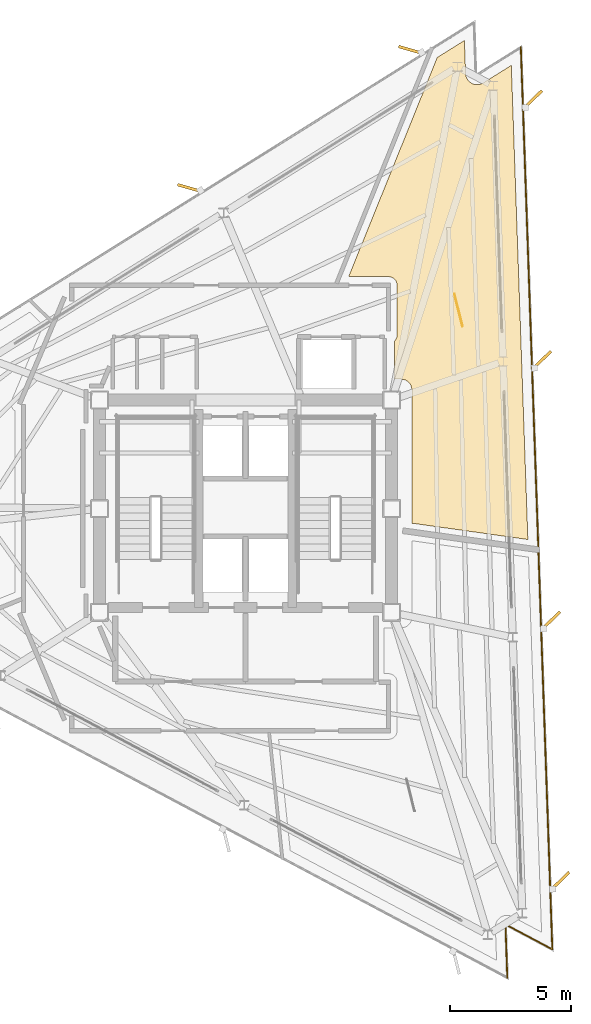
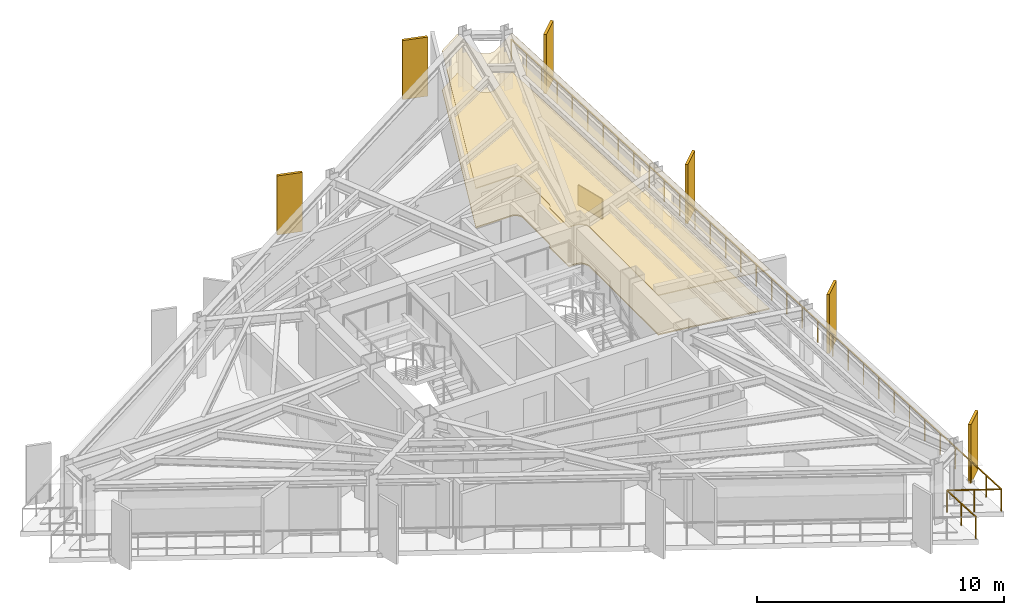
# One storey, part 13 of 13: 6 shading devices, 3 coverings, 1 railing.
"""IFC4 building model written with IfcOpenShell, lengths in metres."""

import ifcopenshell
import ifcopenshell.guid

model = None  # the IFC model being written
_history = None  # IfcOwnerHistory: only IFC2X3 demands one
_inside = {}  # id of a spatial element -> (the spatial element, [elements in it])
_under = {}  # id of a project, library or spatial element -> (it, [spatial elements below it])
_declared = {}  # id of a project -> (the project, [libraries it declares])
_typed = {}  # id of a type object -> (the type object, [elements of that type])
_made_of = {}  # id of a material, layer set ... -> (it, [elements and type objects made of it])


def new_model(schema):
    """Start an empty IFC model of exactly this schema.

    Asked for "IFC4X3", IfcOpenShell would pick the latest addendum, in which some entities
    have other attributes; the version numbers below select the first issue.
    IFC2X3 requires an IfcOwnerHistory on every rooted entity: one is made here for all.
    """
    global model, _history
    if schema == "IFC4X3":
        model = ifcopenshell.file(schema_version=(4, 3, 0, 0))
    else:
        model = ifcopenshell.file(schema=schema)
    _inside.clear()
    _under.clear()
    _declared.clear()
    _typed.clear()
    _made_of.clear()
    _history = None
    if model.schema == "IFC2X3":
        org = make("IfcOrganization", Name="unknown")
        user = make(
            "IfcPersonAndOrganization",
            ThePerson=make("IfcPerson", FamilyName="unknown"),
            TheOrganization=org,
        )
        app = make(
            "IfcApplication",
            ApplicationDeveloper=org,
            Version="unknown",
            ApplicationFullName="unknown",
            ApplicationIdentifier="unknown",
        )
        _history = make(
            "IfcOwnerHistory",
            OwningUser=user,
            OwningApplication=app,
            ChangeAction="ADDED",
            CreationDate=0,
        )
    return model


def make(cls, **values):
    """One entity of the class cls with the attributes given. An attribute that is None is left unset."""
    return model.create_entity(
        cls, **{name: value for name, value in values.items() if value is not None}
    )


def rooted(cls, **values):
    """An entity with a GlobalId (a new one), such as an element, a storey or a relation."""
    return make(cls, GlobalId=ifcopenshell.guid.new(), OwnerHistory=_history, **values)


def si_unit(unit_type, name, prefix=None):
    """IfcSIUnit, for example si_unit("LENGTHUNIT", "METRE", prefix="MILLI")."""
    return make("IfcSIUnit", UnitType=unit_type, Prefix=prefix, Name=name)


def assignment(units):
    """IfcUnitAssignment: the units of a project."""
    return None if units is None else make("IfcUnitAssignment", Units=units)


def point(xyz):
    """IfcCartesianPoint."""
    return None if xyz is None else make("IfcCartesianPoint", Coordinates=xyz)


def direction(xyz):
    """IfcDirection."""
    return None if xyz is None else make("IfcDirection", DirectionRatios=xyz)


def frame(location, z_axis=None, x_axis=None):
    """IfcAxis2Placement3D, a coordinate frame: its origin and axes. An axis left out is left unset."""
    return make(
        "IfcAxis2Placement3D",
        Location=point(location),
        Axis=direction(z_axis),
        RefDirection=direction(x_axis),
    )


def frame_2d(location, x_axis=None):
    """IfcAxis2Placement2D, a coordinate frame in the plane: its origin and x axis."""
    return make(
        "IfcAxis2Placement2D", Location=point(location), RefDirection=direction(x_axis)
    )


def origin():
    """The frame at (0, 0, 0) with its axes left unset."""
    return frame((0.0, 0.0, 0.0))


def origin_2d():
    """The frame at (0, 0) in the plane with its x axis left unset."""
    return frame_2d((0.0, 0.0))


def place(relative_to, where):
    """IfcLocalPlacement: puts the frame where relative to a parent placement (None: the world)."""
    return make(
        "IfcLocalPlacement", PlacementRelTo=relative_to, RelativePlacement=where
    )


def context(
    kind, dimensions, precision=None, world=None, true_north=None, identifier=None
):
    """IfcGeometricRepresentationContext, for example the 3D "Model" context."""
    return make(
        "IfcGeometricRepresentationContext",
        ContextIdentifier=identifier,
        ContextType=kind,
        CoordinateSpaceDimension=dimensions,
        Precision=precision,
        WorldCoordinateSystem=world,
        TrueNorth=true_north,
    )


def subcontext(parent, identifier, kind, view, scale=None):
    """IfcGeometricRepresentationSubContext, for example "Body" below "Model"."""
    return make(
        "IfcGeometricRepresentationSubContext",
        ContextIdentifier=identifier,
        ContextType=kind,
        ParentContext=parent,
        TargetScale=scale,
        TargetView=view,
    )


def project(units=None, contexts=None):
    """IfcProject with its units and contexts."""
    return rooted(
        "IfcProject",
        Name="project",
        RepresentationContexts=contexts,
        UnitsInContext=assignment(units),
    )


def spatial(cls, under=None, at=None, **own):
    """A site, building, storey or space (cls), placed at a placement, below another one or the project."""
    s = rooted(cls, ObjectPlacement=at, **own)
    if under is not None:
        _under.setdefault(under.id(), (under, []))[1].append(s)
    return s


def polyline(points):
    """IfcPolyline through the points."""
    return make("IfcPolyline", Points=[point(p) for p in points])


def profile(cls, at=None, kind="AREA", **sizes):
    """A parametric profile (cls). Its sizes go by their IFC names, for example OverallWidth=200.0."""
    return make(cls, ProfileType=kind, Position=at, **sizes)


def rectangle(**sizes):
    """IfcRectangleProfileDef."""
    return profile("IfcRectangleProfileDef", **sizes)


def outline(outer, holes=None, kind="AREA"):
    """IfcArbitraryClosedProfileDef: a profile drawn as a closed curve; with holes, ...WithVoids."""
    if holes is None:
        return make("IfcArbitraryClosedProfileDef", ProfileType=kind, OuterCurve=outer)
    return make(
        "IfcArbitraryProfileDefWithVoids",
        ProfileType=kind,
        OuterCurve=outer,
        InnerCurves=holes,
    )


def extrude(swept, where, along, depth):
    """IfcExtrudedAreaSolid: the profile swept, set in the frame where, extruded along a direction by depth."""
    return make(
        "IfcExtrudedAreaSolid",
        SweptArea=swept,
        Position=where,
        ExtrudedDirection=direction(along),
        Depth=depth,
    )


def shape(context_of_items, identifier, shape_type, items):
    """IfcShapeRepresentation: the items that make up one representation, for example the "Body"."""
    return make(
        "IfcShapeRepresentation",
        ContextOfItems=context_of_items,
        RepresentationIdentifier=identifier,
        RepresentationType=shape_type,
        Items=items,
    )


def material(Name=None, Category=None):
    """IfcMaterial."""
    return make("IfcMaterial", Name=Name, Category=Category)


def layer(
    of_material, thickness, ventilated=None, Name=None, Category=None, Priority=None
):
    """IfcMaterialLayer: one layer of a wall or slab, of a material (None: an air gap)."""
    return make(
        "IfcMaterialLayer",
        Material=of_material,
        LayerThickness=thickness,
        IsVentilated=ventilated,
        Name=Name,
        Category=Category,
        Priority=Priority,
    )


def layer_set(layers, Name=None):
    """IfcMaterialLayerSet."""
    return make("IfcMaterialLayerSet", MaterialLayers=layers, LayerSetName=Name)


def made_of(thing, what):
    """Note that an element or type object is made of a material, layer set ...; save() writes the relation."""
    if what is not None:
        _made_of.setdefault(what.id(), (what, []))[1].append(thing)
    return thing


def type_object(cls, material=None, **own):
    """A type object (cls), such as IfcWallType, which elements share."""
    return made_of(rooted(cls, **own), material)


def element(
    cls,
    number,
    at=None,
    inside=None,
    cuts=None,
    type_object=None,
    material=None,
    context=None,
    identifier="Body",
    shape_type=None,
    held_by="IfcProductDefinitionShape",
    body=None,
    shapes=None,
    **own,
):
    """One element of the class cls, such as IfcWall. Its Tag is "e" and its number.

    at: its placement. inside: the storey or other place that contains it. cuts: it is an
    opening in that element (IfcRelVoidsElement). A single representation is given by context,
    identifier, shape_type and body (its items); several are given by shapes. held_by: the class
    of the entity that holds the representations. save() writes the other relations.
    """
    e = rooted(cls, Tag="e%d" % number, ObjectPlacement=at, **own)
    if body is not None:
        shapes = [shape(context, identifier, shape_type, body)]
    if shapes is not None:
        e.Representation = make(held_by, Representations=shapes)
    if inside is not None:
        _inside.setdefault(inside.id(), (inside, []))[1].append(e)
    if cuts is not None:
        rooted(
            "IfcRelVoidsElement", RelatingBuildingElement=cuts, RelatedOpeningElement=e
        )
    if type_object is not None:
        _typed.setdefault(type_object.id(), (type_object, []))[1].append(e)
    return made_of(e, material)


def aggregate(whole, parts):
    """IfcRelAggregates: a whole, such as a stair, and the parts it consists of."""
    return rooted("IfcRelAggregates", RelatingObject=whole, RelatedObjects=parts)


def save(model, path):
    """Write the relations noted so far, then the file.

    IfcRelAggregates (storeys below a building ...), IfcRelContainedInSpatialStructure (elements
    in a storey), IfcRelDefinesByType, IfcRelAssociatesMaterial and IfcRelDeclares: one each for
    every whole, place, type object, material and project.
    """
    for whole, parts in _under.values():
        aggregate(whole, parts)
    for where, things in _inside.values():
        rooted(
            "IfcRelContainedInSpatialStructure",
            RelatedElements=things,
            RelatingStructure=where,
        )
    for kind, things in _typed.values():
        rooted("IfcRelDefinesByType", RelatedObjects=things, RelatingType=kind)
    for what, things in _made_of.values():
        rooted("IfcRelAssociatesMaterial", RelatedObjects=things, RelatingMaterial=what)
    for by, libraries in _declared.values():
        rooted("IfcRelDeclares", RelatingContext=by, RelatedDefinitions=libraries)
    model.write(path)


model = new_model("IFC4")

# Units and contexts
model_context = context("Model", 3, precision=1e-05, world=origin(), true_north=direction((0.0, 1.0)))
body_context = subcontext(model_context, "Body", "Model", "MODEL_VIEW")
ifc_project = project(units=[si_unit("LENGTHUNIT", "METRE"), si_unit("AREAUNIT", "SQUARE_METRE"), si_unit("VOLUMEUNIT", "CUBIC_METRE"), si_unit("PLANEANGLEUNIT", "RADIAN"), si_unit("MASSUNIT", "GRAM", prefix="KILO")], contexts=[model_context])

# Site, building, storey
site_placement = place(None, origin())
site = spatial("IfcSite", under=ifc_project, at=site_placement, CompositionType="ELEMENT")
building_placement = place(site_placement, origin())
building = spatial("IfcBuilding", under=site, at=building_placement, Name="Rocaltana Carrier Exchange", CompositionType="ELEMENT")
storey_placement = place(building_placement, frame((0.0, 0.0, 202.719970703125)))
storey = spatial("IfcBuildingStorey", under=building, at=storey_placement, Name="L64", CompositionType="ELEMENT", Elevation=202.719970703125)

# Coverings
ifc_material_1 = material(Name="Calcium Sulphate & Aluminium Pedestal", Category="aluminium")
ifc_layer_1 = layer(ifc_material_1, 0.06005859375)
ifc_layer_set_1 = layer_set([ifc_layer_1], Name="Calcium Sulphate & Aluminium Pedestal")
covering_type_1 = type_object("IfcCoveringType", Name="Anti-Static Raised Exchange Access Floor 60", PredefinedType="FLOORING", material=ifc_layer_set_1)
covering_1_placement = place(storey_placement, origin())
element("IfcCovering", 1, at=covering_1_placement, inside=storey, type_object=covering_type_1, Name="L64 Cloud Architecture Office Finish Floor", PredefinedType="FLOORING", context=body_context, shape_type="SweptSolid", body=[
    extrude(outline(polyline([(6.159912109375, 6.931884765625), (6.16455078125, 6.93603515625), (6.18408203125, 6.955322265625), (6.189208984375, 6.961181640625), (6.206787109375, 6.982421875), (6.21142578125, 6.98876953125), (6.226806640625, 7.01171875), (6.230712890625, 7.018310546875), (6.24365234375, 7.04248046875), (6.2470703125, 7.0498046875), (6.257568359375, 7.0751953125), (6.26025390625, 7.08251953125), (6.268310546875, 7.108642578125), (6.27001953125, 7.116455078125), (6.275390625, 7.143310546875), (6.276611328125, 7.151123046875), (6.279296875, 7.178466796875), (6.27978515625, 7.186279296875), (6.280029296875, 7.199951171875), (6.280029296875, 9.25), (6.27978515625, 9.263671875), (6.279296875, 9.271484375), (6.276611328125, 9.298828125), (6.275390625, 9.306640625), (6.27001953125, 9.33349609375), (6.268310546875, 9.34130859375), (6.26025390625, 9.36767578125), (6.257568359375, 9.375), (6.2470703125, 9.400390625), (6.24365234375, 9.407470703125), (6.230712890625, 9.431640625), (6.226806640625, 9.4384765625), (6.21142578125, 9.461181640625), (6.206787109375, 9.467529296875), (6.189208984375, 9.48876953125), (6.18408203125, 9.49462890625), (6.16455078125, 9.513916015625), (6.15869140625, 9.519287109375), (6.137451171875, 9.53662109375), (6.131103515625, 9.54150390625), (6.1083984375, 9.556640625), (6.101806640625, 9.560791015625), (6.077392578125, 9.57373046875), (6.0703125, 9.576904296875), (6.044921875, 9.58740234375), (6.03759765625, 9.590087890625), (6.01123046875, 9.59814453125), (6.003662109375, 9.60009765625), (5.976806640625, 9.60546875), (5.968994140625, 9.606689453125), (5.941650390625, 9.609375), (5.93359375, 9.609619140625), (5.919921875, 9.610107421875), (4.27099609375, 9.610107421875), (7.940673828125, 18.6923828125), (9.067626953125, 19.39697265625), (9.115478515625, 18.029052734375), (9.1162109375, 18.01513671875), (9.117919921875, 17.995361328125), (9.121826171875, 17.9677734375), (9.12548828125, 17.947998046875), (9.1318359375, 17.9208984375), (9.137451171875, 17.90185546875), (9.146484375, 17.87548828125), (9.154052734375, 17.85693359375), (9.166015625, 17.83154296875), (9.175048828125, 17.81396484375), (9.189208984375, 17.789794921875), (9.2001953125, 17.773193359375), (9.216796875, 17.750732421875), (9.2294921875, 17.7353515625), (9.248046875, 17.714599609375), (9.26220703125, 17.700439453125), (9.28271484375, 17.681640625), (9.298095703125, 17.6689453125), (9.320556640625, 17.65234375), (9.337158203125, 17.641357421875), (9.361083984375, 17.626953125), (9.37890625, 17.61767578125), (9.404052734375, 17.605712890625), (9.422607421875, 17.59814453125), (9.44873046875, 17.5888671875), (9.468017578125, 17.583251953125), (9.4951171875, 17.57666015625), (9.5146484375, 17.572998046875), (9.542236328125, 17.569091796875), (9.56201171875, 17.567138671875), (9.590087890625, 17.566162109375), (9.610107421875, 17.56640625), (9.6376953125, 17.56787109375), (9.65771484375, 17.570068359375), (9.685302734375, 17.57470703125), (9.70458984375, 17.57861328125), (9.731689453125, 17.5859375), (9.750732421875, 17.591796875), (9.77685546875, 17.601806640625), (9.795166015625, 17.609619140625), (9.820068359375, 17.6220703125), (9.83740234375, 17.631591796875), (9.849609375, 17.638916015625), (11.01025390625, 18.364013671875), (11.6962890625, -1.2802734375), (6.889892578125, -0.604736328125), (6.889892578125, 4.919921875), (6.8896484375, 4.93359375), (6.888916015625, 4.949462890625), (6.88623046875, 4.976806640625), (6.8837890625, 4.9921875), (6.87841796875, 5.019287109375), (6.874755859375, 5.034423828125), (6.86669921875, 5.060791015625), (6.861572265625, 5.07568359375), (6.850830078125, 5.100830078125), (6.84423828125, 5.114990234375), (6.831298828125, 5.139404296875), (6.8232421875, 5.15283203125), (6.807861328125, 5.17578125), (6.798583984375, 5.188232421875), (6.781005859375, 5.20947265625), (6.7705078125, 5.22119140625), (6.751220703125, 5.240478515625), (6.739501953125, 5.251220703125), (6.71826171875, 5.2685546875), (6.705810546875, 5.27783203125), (6.682861328125, 5.293212890625), (6.66943359375, 5.30126953125), (6.64501953125, 5.314208984375), (6.630859375, 5.32080078125), (6.605712890625, 5.33154296875), (6.5908203125, 5.336669921875), (6.564453125, 5.3447265625), (6.54931640625, 5.348388671875), (6.522216796875, 5.35400390625), (6.5068359375, 5.356201171875), (6.4794921875, 5.35888671875), (6.463623046875, 5.359619140625), (6.449951171875, 5.360107421875), (6.159912109375, 5.360107421875), (6.159912109375, 6.931884765625)])), origin(), (0.0, 0.0, 1.0), 0.06005859375),
])
ifc_material_2 = material(Name="Mineral Fibre & Powder-Coated Aluminium", Category="aluminium")
ifc_layer_2 = layer(ifc_material_2, 0.044921875)
ifc_layer_set_2 = layer_set([ifc_layer_2], Name="Mineral Fibre & Powder-Coated Aluminium")
covering_type_2 = type_object("IfcCoveringType", Name="Micro-Perforated Acoustic Ceiling 45", PredefinedType="CEILING", material=ifc_layer_set_2)
covering_2_placement = place(storey_placement, frame((0.0, 0.0, 1.943115234375)))
element("IfcCovering", 2, at=covering_2_placement, inside=storey, type_object=covering_type_2, Name="L64 Cloud Architecture Office Acoustic Ceiling", PredefinedType="CEILING", context=body_context, shape_type="SweptSolid", body=[
    extrude(outline(polyline([(6.159912109375, 6.931884765625), (6.16455078125, 6.93603515625), (6.18408203125, 6.955322265625), (6.189208984375, 6.961181640625), (6.206787109375, 6.982421875), (6.21142578125, 6.98876953125), (6.226806640625, 7.01171875), (6.230712890625, 7.018310546875), (6.24365234375, 7.04248046875), (6.2470703125, 7.0498046875), (6.257568359375, 7.0751953125), (6.26025390625, 7.08251953125), (6.268310546875, 7.108642578125), (6.27001953125, 7.116455078125), (6.275390625, 7.143310546875), (6.276611328125, 7.151123046875), (6.279296875, 7.178466796875), (6.27978515625, 7.186279296875), (6.280029296875, 7.199951171875), (6.280029296875, 9.25), (6.27978515625, 9.263671875), (6.279296875, 9.271484375), (6.276611328125, 9.298828125), (6.275390625, 9.306640625), (6.27001953125, 9.33349609375), (6.268310546875, 9.34130859375), (6.26025390625, 9.36767578125), (6.257568359375, 9.375), (6.2470703125, 9.400390625), (6.24365234375, 9.407470703125), (6.230712890625, 9.431640625), (6.226806640625, 9.4384765625), (6.21142578125, 9.461181640625), (6.206787109375, 9.467529296875), (6.189208984375, 9.48876953125), (6.18408203125, 9.49462890625), (6.16455078125, 9.513916015625), (6.15869140625, 9.519287109375), (6.137451171875, 9.53662109375), (6.131103515625, 9.54150390625), (6.1083984375, 9.556640625), (6.101806640625, 9.560791015625), (6.077392578125, 9.57373046875), (6.0703125, 9.576904296875), (6.044921875, 9.58740234375), (6.03759765625, 9.590087890625), (6.01123046875, 9.59814453125), (6.003662109375, 9.60009765625), (5.976806640625, 9.60546875), (5.968994140625, 9.606689453125), (5.941650390625, 9.609375), (5.93359375, 9.609619140625), (5.919921875, 9.610107421875), (4.27099609375, 9.610107421875), (7.940673828125, 18.6923828125), (9.067626953125, 19.39697265625), (9.115478515625, 18.029052734375), (9.1162109375, 18.01513671875), (9.117919921875, 17.995361328125), (9.121826171875, 17.9677734375), (9.12548828125, 17.947998046875), (9.1318359375, 17.9208984375), (9.137451171875, 17.90185546875), (9.146484375, 17.87548828125), (9.154052734375, 17.85693359375), (9.166015625, 17.83154296875), (9.175048828125, 17.81396484375), (9.189208984375, 17.789794921875), (9.2001953125, 17.773193359375), (9.216796875, 17.750732421875), (9.2294921875, 17.7353515625), (9.248046875, 17.714599609375), (9.26220703125, 17.700439453125), (9.28271484375, 17.681640625), (9.298095703125, 17.6689453125), (9.320556640625, 17.65234375), (9.337158203125, 17.641357421875), (9.361083984375, 17.626953125), (9.37890625, 17.61767578125), (9.404052734375, 17.605712890625), (9.422607421875, 17.59814453125), (9.44873046875, 17.5888671875), (9.468017578125, 17.583251953125), (9.4951171875, 17.57666015625), (9.5146484375, 17.572998046875), (9.542236328125, 17.569091796875), (9.56201171875, 17.567138671875), (9.590087890625, 17.566162109375), (9.610107421875, 17.56640625), (9.6376953125, 17.56787109375), (9.65771484375, 17.570068359375), (9.685302734375, 17.57470703125), (9.70458984375, 17.57861328125), (9.731689453125, 17.5859375), (9.750732421875, 17.591796875), (9.77685546875, 17.601806640625), (9.795166015625, 17.609619140625), (9.820068359375, 17.6220703125), (9.83740234375, 17.631591796875), (9.849609375, 17.638916015625), (11.01025390625, 18.364013671875), (11.6962890625, -1.2802734375), (6.889892578125, -0.604736328125), (6.889892578125, 4.919921875), (6.8896484375, 4.93359375), (6.888916015625, 4.949462890625), (6.88623046875, 4.976806640625), (6.8837890625, 4.9921875), (6.87841796875, 5.019287109375), (6.874755859375, 5.034423828125), (6.86669921875, 5.060791015625), (6.861572265625, 5.07568359375), (6.850830078125, 5.100830078125), (6.84423828125, 5.114990234375), (6.831298828125, 5.139404296875), (6.8232421875, 5.15283203125), (6.807861328125, 5.17578125), (6.798583984375, 5.188232421875), (6.781005859375, 5.20947265625), (6.7705078125, 5.22119140625), (6.751220703125, 5.240478515625), (6.739501953125, 5.251220703125), (6.71826171875, 5.2685546875), (6.705810546875, 5.27783203125), (6.682861328125, 5.293212890625), (6.66943359375, 5.30126953125), (6.64501953125, 5.314208984375), (6.630859375, 5.32080078125), (6.605712890625, 5.33154296875), (6.5908203125, 5.336669921875), (6.564453125, 5.3447265625), (6.54931640625, 5.348388671875), (6.522216796875, 5.35400390625), (6.5068359375, 5.356201171875), (6.4794921875, 5.35888671875), (6.463623046875, 5.359619140625), (6.449951171875, 5.360107421875), (6.159912109375, 5.360107421875), (6.159912109375, 6.931884765625)])), origin(), (0.0, 0.0, 1.0), 0.044921875),
])
ifc_material_3 = material(Name="Honed Piedra Muneca Sandstone", Category="masonry")
ifc_layer_3 = layer(ifc_material_3, 0.034912109375)
ifc_layer_set_3 = layer_set([ifc_layer_3], Name="Honed Piedra Muneca Sandstone")
covering_type_3 = type_object("IfcCoveringType", Name="Stone Facade Cladding 35", PredefinedType="CLADDING", material=ifc_layer_set_3)
covering_3_placement = place(storey_placement, frame((8.822021484375, 8.22509765625, 0.0), z_axis=(0.0, 0.0, 1.0), x_axis=(-0.2419218956, 0.970295726276, 0.0)))
element("IfcCovering", 3, at=covering_3_placement, inside=storey, type_object=covering_type_3, Name="L64 Stone Facade Cladding Panel 3", PredefinedType="CLADDING", context=body_context, shape_type="SweptSolid", body=[
    extrude(rectangle(XDim=1.39990234375, YDim=0.034912109375, at=origin_2d()), origin(), (0.0, 0.0, 1.0), 1.050048828125),
])

# Shading devices
ifc_material_4 = material(Name="Honed Bogota Sandstone & Concrete C45/55", Category="masonry")
ifc_layer_4 = layer(ifc_material_4, 0.1201171875)
ifc_layer_set_4 = layer_set([ifc_layer_4], Name="Honed Bogota Sandstone & Concrete C45/55")
shading_device_type = type_object("IfcShadingDeviceType", Name="Upper Sandstone Shading Fin 1050x120", PredefinedType="USERDEFINED", material=ifc_layer_set_4)
for number, where, z_axis, x_axis, name in (
    (4, (13.03125, -15.43017578125, -0.119873046875), (0.0, 0.0, 1.0), (0.719339800339, 0.694658370459, 0.0), "L64 Sandstone Vertical Fin F1-01"),
    (5, (12.654296875, -4.63671875, -0.119873046875), (0.0, 0.0, 1.0), (0.719339800339, 0.694658370459, 0.0), "L64 Sandstone Vertical Fin F1-02"),
    (6, (12.27734375, 6.15673828125, -0.119873046875), (0.0, 0.0, 1.0), (0.719339800339, 0.694658370459, 0.0), "L64 Sandstone Vertical Fin F1-03"),
    (7, (11.900390625, 16.9501953125, -0.119873046875), (0.0, 0.0, 1.0), (0.719339800339, 0.694658370459, 0.0), "L64 Sandstone Vertical Fin F1-04"),
    (8, (6.84716796875, 19.00048828125, -0.119873046875), (0.0, 0.0, 1.0), (-0.961261695938, 0.275637355817, 0.0), "L64 Sandstone Vertical Fin F2-01"),
    (9, (-2.311767578125, 13.27734375, -0.119873046875), (0.0, 0.0, 1.0), (-0.961261695938, 0.275637355817, 0.0), "L64 Sandstone Vertical Fin F2-02"),
):
    element("IfcShadingDevice", number, at=place(storey_placement, frame(where, z_axis=z_axis, x_axis=x_axis)), inside=storey, type_object=shading_device_type, Name=name, ObjectType="FIN", PredefinedType="USERDEFINED", context=body_context, shape_type="SweptSolid", body=[
        extrude(rectangle(XDim=1.050048828125, YDim=0.1201171875, at=origin_2d()), origin(), (0.0, 0.0, 1.0), 2.91796875),
    ])

# Railing
ifc_material_5 = material(Name="Powder-Coated Aluminium 6063-T6", Category="aluminium")
ifc_layer_5 = layer(ifc_material_5, 0.06005859375)
ifc_layer_set_5 = layer_set([ifc_layer_5], Name="Powder-Coated Aluminium 6063-T6")
railing_type = type_object("IfcRailingType", Name="Wind-Floor & Terrace Perimeter Guardrail 1100", PredefinedType="GUARDRAIL", material=ifc_layer_set_5)
railing_placement = place(storey_placement, frame((11.404541015625, 19.105712890625, 0.0)))
element("IfcRailing", 10, at=railing_placement, inside=storey, type_object=railing_type, Name="L64 Perimeter Balcony Guardrail 3", PredefinedType="GUARDRAIL", context=body_context, shape_type="SweptSolid", body=[
    extrude(rectangle(XDim=0.048095703125, YDim=0.048095703125, at=origin_2d()), frame((0.0, 0.0, 1.076171875), z_axis=(0.034898534283, -0.999390860627, 0.0), x_axis=(0.999390860627, 0.034898534283, 0.0)), (0.0, 0.0, 1.0), 37.39208984375),
    extrude(rectangle(XDim=0.048095703125, YDim=0.048095703125, at=origin_2d()), frame((1.304931640625, -37.369384765625, 1.076171875), z_axis=(-0.882914480843, 0.469533832133, 0.0), x_axis=(-0.469533832133, -0.882914480843, 0.0)), (0.0, 0.0, 1.0), 2.199951171875),
    extrude(rectangle(XDim=0.048095703125, YDim=0.048095703125, at=origin_2d()), frame((-0.637451171875, -36.33642578125, 1.076171875), z_axis=(0.034844472857, -0.999392746978, 0.0), x_axis=(0.999392746978, 0.034844472857, 0.0)), (0.0, 0.0, 1.0), 2.199951171875),
    extrude(rectangle(XDim=0.0419921875, YDim=0.0419921875, at=origin_2d()), origin(), (0.0, 0.0, 1.0), 1.052001953125),
    extrude(rectangle(XDim=0.0419921875, YDim=0.0419921875, at=origin_2d()), frame((0.040771484375, -1.167724609375, 0.0)), (0.0, 0.0, 1.0), 1.052001953125),
    extrude(rectangle(XDim=0.0419921875, YDim=0.0419921875, at=origin_2d()), frame((0.08154296875, -2.335693359375, 0.0)), (0.0, 0.0, 1.0), 1.052001953125),
    extrude(rectangle(XDim=0.0419921875, YDim=0.0419921875, at=origin_2d()), frame((0.122314453125, -3.50341796875, 0.0)), (0.0, 0.0, 1.0), 1.052001953125),
    extrude(rectangle(XDim=0.0419921875, YDim=0.0419921875, at=origin_2d()), frame((0.1630859375, -4.671142578125, 0.0)), (0.0, 0.0, 1.0), 1.052001953125),
    extrude(rectangle(XDim=0.0419921875, YDim=0.0419921875, at=origin_2d()), frame((0.203857421875, -5.8388671875, 0.0)), (0.0, 0.0, 1.0), 1.052001953125),
    extrude(rectangle(XDim=0.0419921875, YDim=0.0419921875, at=origin_2d()), frame((0.24462890625, -7.0068359375, 0.0)), (0.0, 0.0, 1.0), 1.052001953125),
    extrude(rectangle(XDim=0.0419921875, YDim=0.0419921875, at=origin_2d()), frame((0.285400390625, -8.174560546875, 0.0)), (0.0, 0.0, 1.0), 1.052001953125),
    extrude(rectangle(XDim=0.0419921875, YDim=0.0419921875, at=origin_2d()), frame((0.326171875, -9.34228515625, 0.0)), (0.0, 0.0, 1.0), 1.052001953125),
    extrude(rectangle(XDim=0.0419921875, YDim=0.0419921875, at=origin_2d()), frame((0.366943359375, -10.51025390625, 0.0)), (0.0, 0.0, 1.0), 1.052001953125),
    extrude(rectangle(XDim=0.0419921875, YDim=0.0419921875, at=origin_2d()), frame((0.40771484375, -11.677978515625, 0.0)), (0.0, 0.0, 1.0), 1.052001953125),
    extrude(rectangle(XDim=0.0419921875, YDim=0.0419921875, at=origin_2d()), frame((0.448486328125, -12.845703125, 0.0)), (0.0, 0.0, 1.0), 1.052001953125),
    extrude(rectangle(XDim=0.0419921875, YDim=0.0419921875, at=origin_2d()), frame((0.4892578125, -14.013427734375, 0.0)), (0.0, 0.0, 1.0), 1.052001953125),
    extrude(rectangle(XDim=0.0419921875, YDim=0.0419921875, at=origin_2d()), frame((0.530029296875, -15.181396484375, 0.0)), (0.0, 0.0, 1.0), 1.052001953125),
    extrude(rectangle(XDim=0.0419921875, YDim=0.0419921875, at=origin_2d()), frame((0.57080078125, -16.34912109375, 0.0)), (0.0, 0.0, 1.0), 1.052001953125),
    extrude(rectangle(XDim=0.0419921875, YDim=0.0419921875, at=origin_2d()), frame((0.611572265625, -17.516845703125, 0.0)), (0.0, 0.0, 1.0), 1.052001953125),
    extrude(rectangle(XDim=0.0419921875, YDim=0.0419921875, at=origin_2d()), frame((0.65234375, -18.6845703125, 0.0)), (0.0, 0.0, 1.0), 1.052001953125),
    extrude(rectangle(XDim=0.0419921875, YDim=0.0419921875, at=origin_2d()), frame((0.693359375, -19.8525390625, 0.0)), (0.0, 0.0, 1.0), 1.052001953125),
    extrude(rectangle(XDim=0.0419921875, YDim=0.0419921875, at=origin_2d()), frame((0.734130859375, -21.020263671875, 0.0)), (0.0, 0.0, 1.0), 1.052001953125),
    extrude(rectangle(XDim=0.0419921875, YDim=0.0419921875, at=origin_2d()), frame((0.77490234375, -22.18798828125, 0.0)), (0.0, 0.0, 1.0), 1.052001953125),
    extrude(rectangle(XDim=0.0419921875, YDim=0.0419921875, at=origin_2d()), frame((0.815673828125, -23.35595703125, 0.0)), (0.0, 0.0, 1.0), 1.052001953125),
    extrude(rectangle(XDim=0.0419921875, YDim=0.0419921875, at=origin_2d()), frame((0.8564453125, -24.523681640625, 0.0)), (0.0, 0.0, 1.0), 1.052001953125),
    extrude(rectangle(XDim=0.0419921875, YDim=0.0419921875, at=origin_2d()), frame((0.897216796875, -25.69140625, 0.0)), (0.0, 0.0, 1.0), 1.052001953125),
    extrude(rectangle(XDim=0.0419921875, YDim=0.0419921875, at=origin_2d()), frame((0.93798828125, -26.859130859375, 0.0)), (0.0, 0.0, 1.0), 1.052001953125),
    extrude(rectangle(XDim=0.0419921875, YDim=0.0419921875, at=origin_2d()), frame((0.978759765625, -28.027099609375, 0.0)), (0.0, 0.0, 1.0), 1.052001953125),
    extrude(rectangle(XDim=0.0419921875, YDim=0.0419921875, at=origin_2d()), frame((1.01953125, -29.19482421875, 0.0)), (0.0, 0.0, 1.0), 1.052001953125),
    extrude(rectangle(XDim=0.0419921875, YDim=0.0419921875, at=origin_2d()), frame((1.060302734375, -30.362548828125, 0.0)), (0.0, 0.0, 1.0), 1.052001953125),
    extrude(rectangle(XDim=0.0419921875, YDim=0.0419921875, at=origin_2d()), frame((1.10107421875, -31.530517578125, 0.0)), (0.0, 0.0, 1.0), 1.052001953125),
    extrude(rectangle(XDim=0.0419921875, YDim=0.0419921875, at=origin_2d()), frame((1.141845703125, -32.6982421875, 0.0)), (0.0, 0.0, 1.0), 1.052001953125),
    extrude(rectangle(XDim=0.0419921875, YDim=0.0419921875, at=origin_2d()), frame((1.1826171875, -33.865966796875, 0.0)), (0.0, 0.0, 1.0), 1.052001953125),
    extrude(rectangle(XDim=0.0419921875, YDim=0.0419921875, at=origin_2d()), frame((1.223388671875, -35.03369140625, 0.0)), (0.0, 0.0, 1.0), 1.052001953125),
    extrude(rectangle(XDim=0.0419921875, YDim=0.0419921875, at=origin_2d()), frame((1.26416015625, -36.20166015625, 0.0)), (0.0, 0.0, 1.0), 1.052001953125),
    extrude(rectangle(XDim=0.0419921875, YDim=0.0419921875, at=origin_2d()), frame((1.304931640625, -37.369384765625, 0.0)), (0.0, 0.0, 1.0), 1.052001953125),
    extrude(rectangle(XDim=0.0419921875, YDim=0.0419921875, at=origin_2d()), frame((0.333740234375, -36.85302734375, 0.0)), (0.0, 0.0, 1.0), 1.052001953125),
    extrude(rectangle(XDim=0.0419921875, YDim=0.0419921875, at=origin_2d()), frame((-0.637451171875, -36.33642578125, 0.0)), (0.0, 0.0, 1.0), 1.052001953125),
    extrude(rectangle(XDim=0.0419921875, YDim=0.0419921875, at=origin_2d()), frame((-0.59912109375, -37.435791015625, 0.0)), (0.0, 0.0, 1.0), 1.052001953125),
    extrude(rectangle(XDim=0.0419921875, YDim=0.0419921875, at=origin_2d()), frame((-0.560791015625, -38.53515625, 0.0)), (0.0, 0.0, 1.0), 1.052001953125),
])

save(model, "model.ifc")
